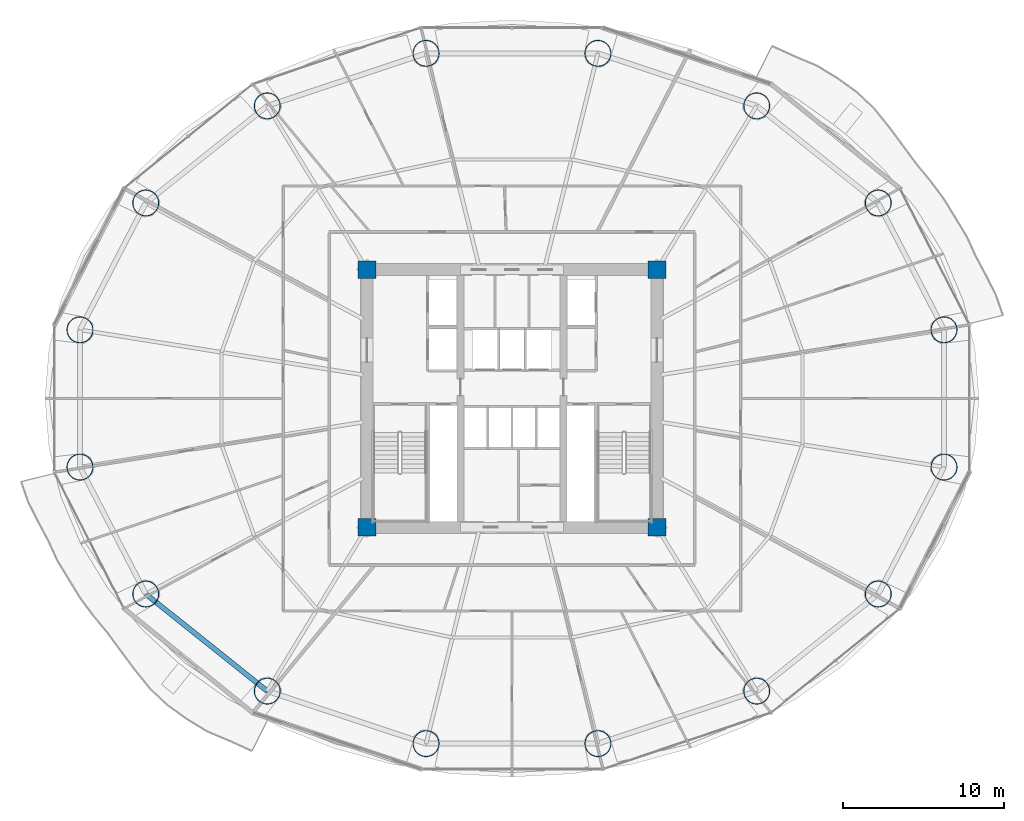
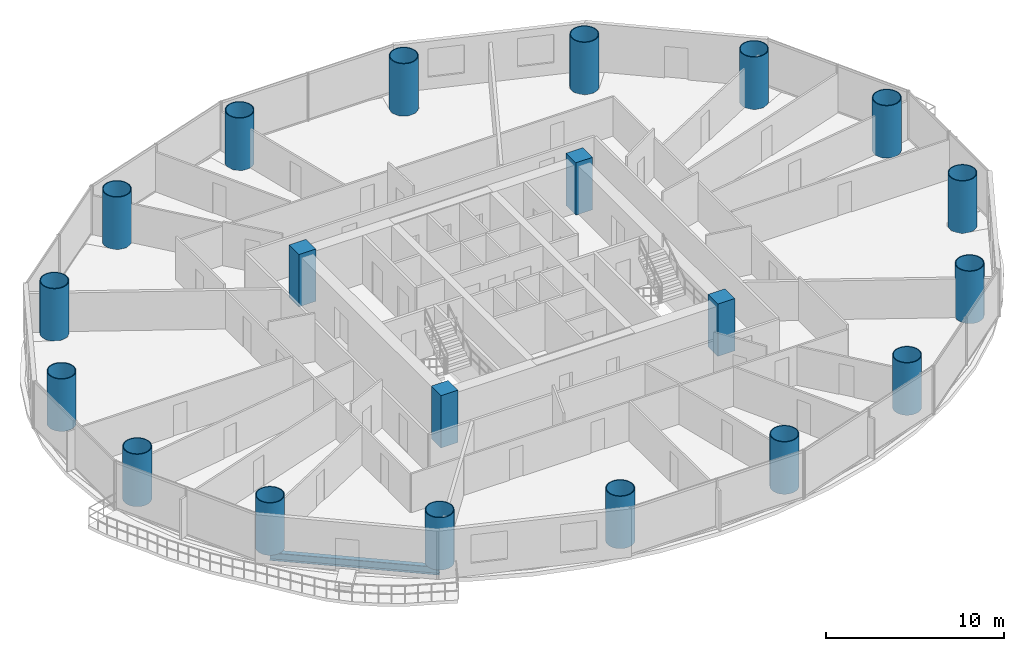
# One storey, part 1 of 29: 20 columns, 1 beam.
"""IFC4 building model written with IfcOpenShell, lengths in metres."""

from ifc_helpers import new_model, si_unit, direction, frame, origin, origin_2d, place, context, subcontext, project, spatial, rectangle, hollow_circle, i_section, extrude, material, material_profile, profile_set, type_object, element, save


model = new_model("IFC4")

# Units and contexts
model_context = context("Model", 3, precision=1e-05, world=origin(), true_north=direction((-0.2419218956, 0.970295726276)))
body_context = subcontext(model_context, "Body", "Model", "MODEL_VIEW")
ifc_project = project(units=[si_unit("LENGTHUNIT", "METRE"), si_unit("AREAUNIT", "SQUARE_METRE"), si_unit("VOLUMEUNIT", "CUBIC_METRE"), si_unit("PLANEANGLEUNIT", "RADIAN"), si_unit("MASSUNIT", "GRAM", prefix="KILO")], contexts=[model_context])

# Site, building, storey
site_placement = place(None, origin())
site = spatial("IfcSite", under=ifc_project, at=site_placement, CompositionType="ELEMENT")
building_placement = place(site_placement, origin())
building = spatial("IfcBuilding", under=site, at=building_placement, Name="Cobrevalo Terracotta Tower", CompositionType="ELEMENT")
storey_placement = place(building_placement, frame((0.0, 0.0, 49.199951171875)))
storey = spatial("IfcBuildingStorey", under=building, at=storey_placement, Name="L12", CompositionType="ELEMENT", Elevation=49.199951171875)

# Columns
ifc_material_1 = material(Name="Steel S355", Category="steel")
ifc_material_profile_1 = material_profile(ifc_material_1, hollow_circle(Radius=0.824951171875, WallThickness=0.050048828125, at=origin_2d()), Name="CHS 1650x50")
ifc_profile_set_1 = profile_set([ifc_material_profile_1], Name="Steel S355")
column_type_1 = type_object("IfcColumnType", Name="Structural Column CHS 1650x50 (Steel S355)", PredefinedType="COLUMN", material=ifc_profile_set_1)
for number, where, z_axis, x_axis, name in (
    (1, (64.824462890625, 31.062744140625, 0.0), (0.0, 0.0, 1.0), (1.0, 0.0, 0.0), "L12 composite megacolumn MC01"),
    (2, (60.74072265625, 38.939208984375, 0.0), (0.0, 0.0, 1.0), (1.0, 0.0, 0.0), "L12 composite megacolumn MC02"),
    (3, (53.19482421875, 44.967529296875, 0.0), (0.0, 0.0, 1.0), (1.0, 0.0, 0.0), "L12 composite megacolumn MC03"),
    (4, (43.335693359375, 48.230224609375, 0.0), (0.0, 0.0, 1.0), (1.0, 0.0, 0.0), "L12 composite megacolumn MC04"),
    (5, (32.664306640625, 48.230224609375, 0.0), (0.0, 0.0, 1.0), (1.0, 0.0, 0.0), "L12 composite megacolumn MC05"),
    (6, (22.80517578125, 44.967529296875, 0.0), (0.0, 0.0, 1.0), (1.0, 0.0, 0.0), "L12 composite megacolumn MC06"),
    (7, (15.25927734375, 38.939208984375, 0.0), (0.0, 0.0, 1.0), (1.0, 0.0, 0.0), "L12 composite megacolumn MC07"),
    (8, (11.175537109375, 31.062744140625, 0.0), (0.0, 0.0, 1.0), (1.0, 0.0, 0.0), "L12 composite megacolumn MC08"),
    (9, (11.175537109375, 22.537353515625, 0.0), (0.0, 0.0, 1.0), (1.0, 0.0, 0.0), "L12 composite megacolumn MC09"),
    (10, (15.25927734375, 14.660888671875, 0.0), (0.0, 0.0, 1.0), (1.0, 0.0, 0.0), "L12 composite megacolumn MC10"),
    (11, (22.80517578125, 8.63232421875, 0.0), (0.0, 0.0, 1.0), (1.0, 0.0, 0.0), "L12 composite megacolumn MC11"),
    (12, (32.664306640625, 5.369873046875, 0.0), (0.0, 0.0, 1.0), (1.0, 0.0, 0.0), "L12 composite megacolumn MC12"),
    (13, (43.335693359375, 5.369873046875, 0.0), (0.0, 0.0, 1.0), (1.0, 0.0, 0.0), "L12 composite megacolumn MC13"),
    (14, (53.19482421875, 8.63232421875, 0.0), (0.0, 0.0, 1.0), (1.0, 0.0, 0.0), "L12 composite megacolumn MC14"),
    (15, (60.74072265625, 14.660888671875, 0.0), (0.0, 0.0, 1.0), (1.0, 0.0, 0.0), "L12 composite megacolumn MC15"),
    (16, (64.824462890625, 22.537353515625, 0.0), (0.0, 0.0, 1.0), (1.0, 0.0, 0.0), "L12 composite megacolumn MC16"),
):
    element("IfcColumn", number, at=place(storey_placement, frame(where, z_axis=z_axis, x_axis=x_axis)), inside=storey, type_object=column_type_1, Name=name, PredefinedType="COLUMN", context=body_context, shape_type="SweptSolid", body=[
        extrude(hollow_circle(Radius=0.824951171875, WallThickness=0.050048828125, at=origin_2d()), origin(), (0.0, 0.0, 1.0), 3.60009765625),
    ])
ifc_material_2 = material(Name="Concrete C60", Category="concrete")
ifc_material_profile_2 = material_profile(ifc_material_2, rectangle(XDim=1.10009765625, YDim=1.10009765625, at=origin_2d()), Name="RC COL 1100x1100")
ifc_profile_set_2 = profile_set([ifc_material_profile_2], Name="Concrete C60")
column_type_2 = type_object("IfcColumnType", Name="Structural Column RC COL 1100x1100 (Concrete C60)", PredefinedType="COLUMN", material=ifc_profile_set_2)
for number, where, z_axis, x_axis, name in (
    (17, (29.0, 18.800048828125, 0.0), (0.0, 0.0, 1.0), (1.0, 0.0, 0.0), "L12 core corner column CC1"),
    (18, (47.0, 18.800048828125, 0.0), (0.0, 0.0, 1.0), (1.0, 0.0, 0.0), "L12 core corner column CC2"),
    (19, (47.0, 34.800048828125, 0.0), (0.0, 0.0, 1.0), (1.0, 0.0, 0.0), "L12 core corner column CC3"),
    (20, (29.0, 34.800048828125, 0.0), (0.0, 0.0, 1.0), (1.0, 0.0, 0.0), "L12 core corner column CC4"),
):
    element("IfcColumn", number, at=place(storey_placement, frame(where, z_axis=z_axis, x_axis=x_axis)), inside=storey, type_object=column_type_2, Name=name, PredefinedType="COLUMN", context=body_context, shape_type="SweptSolid", body=[
        extrude(rectangle(XDim=1.10009765625, YDim=1.10009765625, at=origin_2d()), origin(), (0.0, 0.0, 1.0), 3.60009765625),
    ])

# Beam
ifc_material_profile_3 = material_profile(ifc_material_1, i_section(OverallWidth=0.31201171875, OverallDepth=0.54296875, WebThickness=0.0126953125, FlangeThickness=0.020263671875, at=origin_2d()), Name="W 530x150")
ifc_profile_set_3 = profile_set([ifc_material_profile_3], Name="Steel S355")
beam_type = type_object("IfcBeamType", Name="Structural Spandrel W 530x150 (Steel S355)", PredefinedType="SPANDREL", material=ifc_profile_set_3)
beam_placement = place(storey_placement, frame((15.25927734375, 14.660888671875, -0.551513671875), z_axis=(0.781280479891, -0.62418011162, 0.0), x_axis=(0.62418011162, 0.781280479891, 0.0)))
element("IfcBeam", 21, at=beam_placement, inside=storey, type_object=beam_type, Name="L12 perimeter ring spandrel 10", PredefinedType="SPANDREL", context=body_context, shape_type="SweptSolid", body=[
    extrude(i_section(OverallWidth=0.31201171875, OverallDepth=0.54296875, WebThickness=0.0126953125, FlangeThickness=0.020263671875, at=origin_2d()), origin(), (0.0, 0.0, 1.0), 9.658447265625),
])

save(model, "model.ifc")
